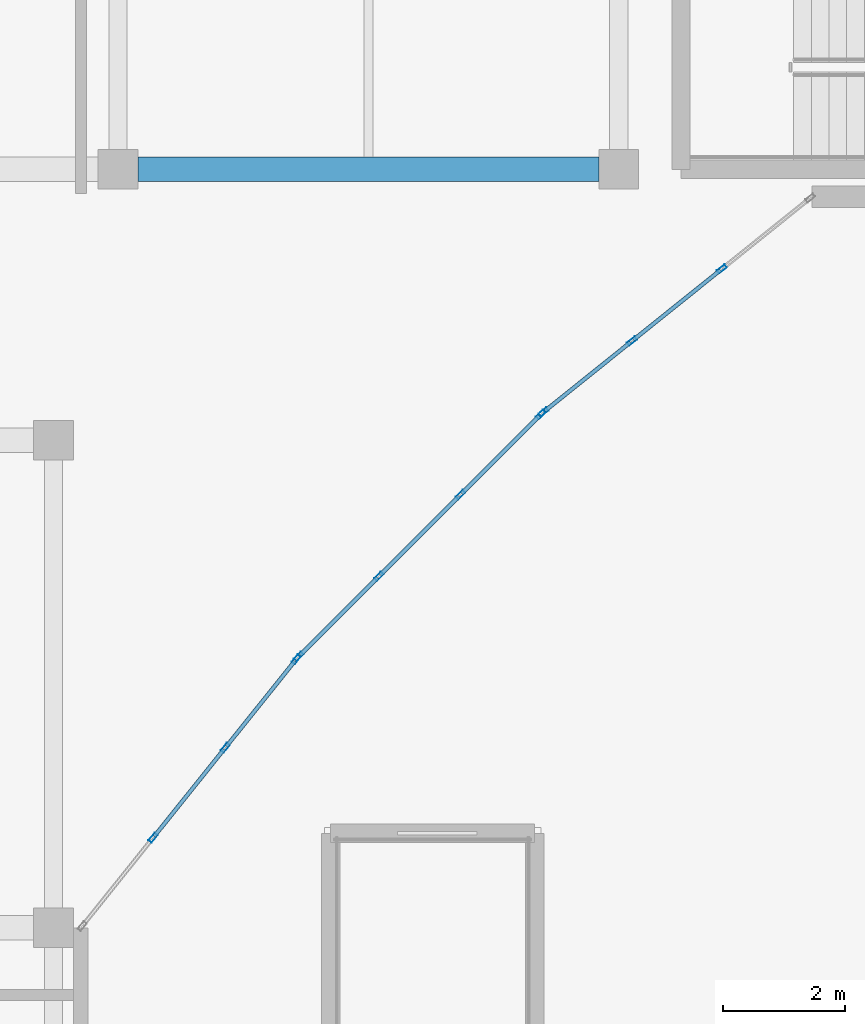
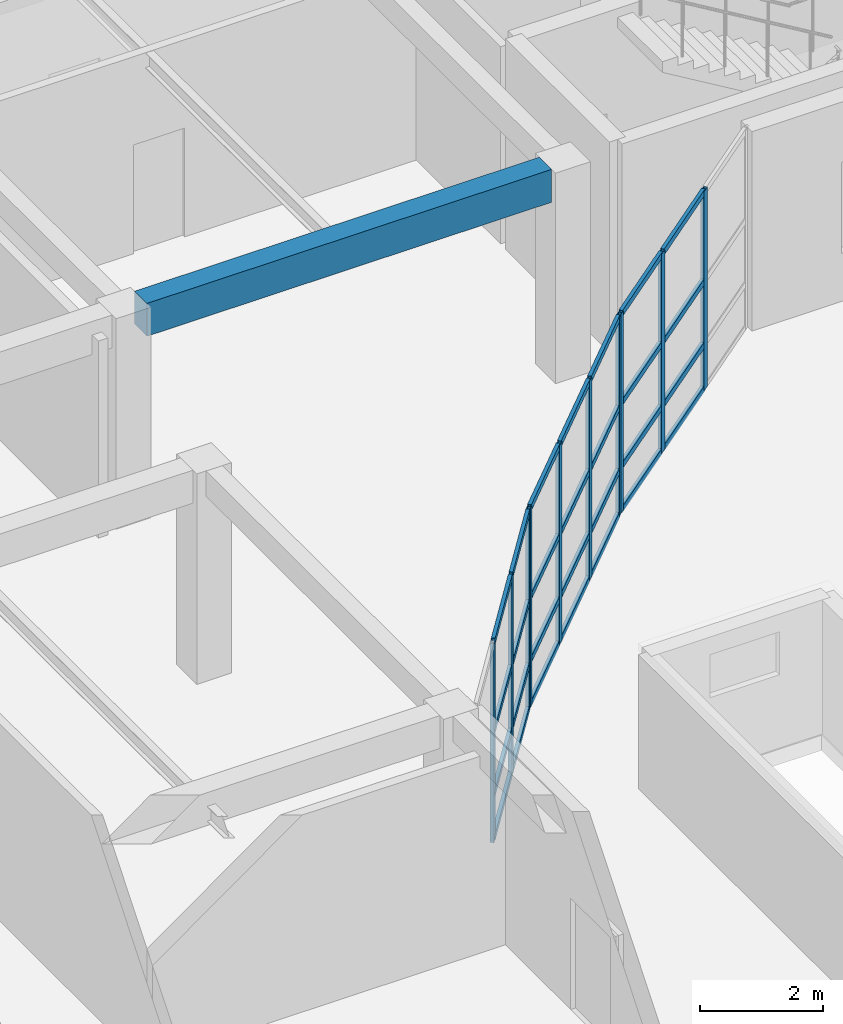
# One storey, part 32 of 114: 38 members, 1 beam, 3 elements without a shape of their own.
"""IFC4 building model written with IfcOpenShell, lengths in metres."""

from ifc_helpers import new_model, si_unit, direction, frame, origin, origin_2d, place, context, subcontext, project, spatial, rectangle, hollow_rectangle, extrude, material, layer, layer_set, material_profile, profile_set, type_object, element, aggregate, save


model = new_model("IFC4")

# Units and contexts
model_context = context("Model", 3, precision=1e-05, world=origin(), true_north=direction((0.0, 1.0)))
body_context = subcontext(model_context, "Body", "Model", "MODEL_VIEW")
ifc_project = project(units=[si_unit("LENGTHUNIT", "METRE"), si_unit("AREAUNIT", "SQUARE_METRE"), si_unit("VOLUMEUNIT", "CUBIC_METRE"), si_unit("PLANEANGLEUNIT", "RADIAN"), si_unit("MASSUNIT", "GRAM", prefix="KILO")], contexts=[model_context])

# Site, building, storey
site_placement = place(None, origin())
site = spatial("IfcSite", under=ifc_project, at=site_placement, CompositionType="ELEMENT")
building_placement = place(site_placement, origin())
building = spatial("IfcBuilding", under=site, at=building_placement, Name="Keldmere Railside Commons", CompositionType="ELEMENT")
storey_placement = place(building_placement, origin())
storey = spatial("IfcBuildingStorey", under=building, at=storey_placement, Name="L00", CompositionType="ELEMENT", Elevation=0.0)

# Beam
ifc_material_1 = material(Name="Concrete H-30 (C30/37)", Category="concrete")
ifc_material_profile_1 = material_profile(ifc_material_1, rectangle(XDim=0.39990234375, YDim=0.64990234375, at=origin_2d()), Name="RC-400x650")
ifc_profile_set_1 = profile_set([ifc_material_profile_1], Name="Concrete H-30 (C30/37)")
beam_type = type_object("IfcBeamType", Name="Residential Spine RC Girder 400x650", PredefinedType="BEAM", material=ifc_profile_set_1)
beam_placement = place(storey_placement, frame((64.93505859375, 100.449951171875, 3.8349609375), z_axis=(1.0, 0.0, 0.0), x_axis=(0.0, 1.0, 0.0)))
element("IfcBeam", 1, at=beam_placement, inside=storey, type_object=beam_type, Name="BG-3 BM-L00-0502", PredefinedType="BEAM", context=body_context, shape_type="SweptSolid", body=[
    extrude(rectangle(XDim=0.39990234375, YDim=0.64990234375, at=origin_2d()), origin(), (0.0, 0.0, 1.0), 7.56982421875),
])

# Curtain wall, members
ifc_material_2 = material(Name="Thermally Broken Aluminium", Category="aluminium")
ifc_layer_1 = layer(ifc_material_2, 0.159912109375, Name="Residential Ground Entrance Lobby CW 4000x3600")
ifc_layer_set_1 = layer_set([ifc_layer_1], Name="Thermally Broken Aluminium")
curtain_wall_type_1 = type_object("IfcCurtainWallType", Name="Residential Ground Entrance Lobby CW 4000x3600", PredefinedType="NOTDEFINED", material=ifc_layer_set_1)
curtain_wall_1_placement = place(storey_placement, origin())
curtain_wall_1 = element("IfcCurtainWall", 2, at=curtain_wall_1_placement, inside=storey, type_object=curtain_wall_type_1, Name="CW-10 CW-L00-025", PredefinedType="NOTDEFINED")
ifc_material_profile_2 = material_profile(ifc_material_2, hollow_rectangle(XDim=0.06494140625, YDim=0.159912109375, WallThickness=0.00390625, at=origin_2d()), Name="ALU-MULL-65x160")
ifc_profile_set_2 = profile_set([ifc_material_profile_2], Name="Thermally Broken Aluminium")
member_type_1 = type_object("IfcMemberType", Name="Unitised Curtain Wall Mullion 65x160", PredefinedType="MULLION", material=ifc_profile_set_2)
member_1_placement = place(storey_placement, frame((67.53369140625, 92.404541015625, 0.0), z_axis=(0.0, 0.0, 1.0), x_axis=(0.780009172323, -0.625768080915, 0.0)))
member_1 = element("IfcMember", 3, at=member_1_placement, type_object=member_type_1, Name="CW-10 mullion 1", PredefinedType="MULLION", context=body_context, shape_type="SweptSolid", body=[
    extrude(hollow_rectangle(XDim=0.06494140625, YDim=0.159912109375, WallThickness=0.00390625, at=origin_2d()), origin(), (0.0, 0.0, 1.0), 3.93994140625),
])
member_2_placement = place(storey_placement, frame((66.369384765625, 90.953369140625, 0.0), z_axis=(0.0, 0.0, 1.0), x_axis=(0.780009172323, -0.625768080915, 0.0)))
member_2 = element("IfcMember", 4, at=member_2_placement, type_object=member_type_1, Name="CW-10 mullion 2", PredefinedType="MULLION", context=body_context, shape_type="SweptSolid", body=[
    extrude(hollow_rectangle(XDim=0.06494140625, YDim=0.159912109375, WallThickness=0.00390625, at=origin_2d()), origin(), (0.0, 0.0, 1.0), 3.93994140625),
])
member_3_placement = place(storey_placement, frame((65.1845703125, 89.4765625, 0.0), z_axis=(0.0, 0.0, 1.0), x_axis=(0.780009172323, -0.625768080915, 0.0)))
member_3 = element("IfcMember", 5, at=member_3_placement, type_object=member_type_1, Name="CW-10 mullion 3", PredefinedType="MULLION", context=body_context, shape_type="SweptSolid", body=[
    extrude(hollow_rectangle(XDim=0.06494140625, YDim=0.159912109375, WallThickness=0.00390625, at=origin_2d()), origin(), (0.0, 0.0, 1.0), 3.93994140625),
])

ifc_layer_2 = layer(ifc_material_2, 0.159912109375, Name="Residential Lounge Frontage CW 4600x3600")
ifc_layer_set_2 = layer_set([ifc_layer_2], Name="Thermally Broken Aluminium")
curtain_wall_type_2 = type_object("IfcCurtainWallType", Name="Residential Lounge Frontage CW 4600x3600", PredefinedType="NOTDEFINED", material=ifc_layer_set_2)
curtain_wall_2_placement = place(storey_placement, origin())
curtain_wall_2 = element("IfcCurtainWall", 6, at=curtain_wall_2_placement, inside=storey, type_object=curtain_wall_type_2, Name="CW-11 CW-L00-026", PredefinedType="NOTDEFINED")
member_4_placement = place(storey_placement, frame((71.547119140625, 96.423095703125, 0.0), z_axis=(0.0, 0.0, 1.0), x_axis=(0.707106781187, -0.707106781187, 0.0)))
member_4 = element("IfcMember", 7, at=member_4_placement, type_object=member_type_1, Name="CW-11 mullion 1", PredefinedType="MULLION", context=body_context, shape_type="SweptSolid", body=[
    extrude(hollow_rectangle(XDim=0.06494140625, YDim=0.159912109375, WallThickness=0.00390625, at=origin_2d()), origin(), (0.0, 0.0, 1.0), 3.93994140625),
])
member_5_placement = place(storey_placement, frame((70.2314453125, 95.107421875, 0.0), z_axis=(0.0, 0.0, 1.0), x_axis=(0.707106781187, -0.707106781187, 0.0)))
member_5 = element("IfcMember", 8, at=member_5_placement, type_object=member_type_1, Name="CW-11 mullion 2", PredefinedType="MULLION", context=body_context, shape_type="SweptSolid", body=[
    extrude(hollow_rectangle(XDim=0.06494140625, YDim=0.159912109375, WallThickness=0.00390625, at=origin_2d()), origin(), (0.0, 0.0, 1.0), 3.93994140625),
])
member_6_placement = place(storey_placement, frame((68.892578125, 93.7685546875, 0.0), z_axis=(0.0, 0.0, 1.0), x_axis=(0.707106781187, -0.707106781187, 0.0)))
member_6 = element("IfcMember", 9, at=member_6_placement, type_object=member_type_1, Name="CW-11 mullion 3", PredefinedType="MULLION", context=body_context, shape_type="SweptSolid", body=[
    extrude(hollow_rectangle(XDim=0.06494140625, YDim=0.159912109375, WallThickness=0.00390625, at=origin_2d()), origin(), (0.0, 0.0, 1.0), 3.93994140625),
])
member_7_placement = place(storey_placement, frame((67.576904296875, 92.452880859375, 0.0), z_axis=(0.0, 0.0, 1.0), x_axis=(0.707106781187, -0.707106781187, 0.0)))
member_7 = element("IfcMember", 10, at=member_7_placement, type_object=member_type_1, Name="CW-11 mullion 4", PredefinedType="MULLION", context=body_context, shape_type="SweptSolid", body=[
    extrude(hollow_rectangle(XDim=0.06494140625, YDim=0.159912109375, WallThickness=0.00390625, at=origin_2d()), origin(), (0.0, 0.0, 1.0), 3.93994140625),
])

curtain_wall_3_placement = place(storey_placement, origin())
curtain_wall_3 = element("IfcCurtainWall", 11, at=curtain_wall_3_placement, inside=storey, type_object=curtain_wall_type_1, Name="CW-10 CW-L00-027", PredefinedType="NOTDEFINED")
member_8_placement = place(storey_placement, frame((74.5234375, 98.8154296875, 0.0), z_axis=(0.0, 0.0, 1.0), x_axis=(0.625768080915, -0.780009172323, 0.0)))
member_8 = element("IfcMember", 12, at=member_8_placement, type_object=member_type_1, Name="CW-10 mullion 2", PredefinedType="MULLION", context=body_context, shape_type="SweptSolid", body=[
    extrude(hollow_rectangle(XDim=0.06494140625, YDim=0.159912109375, WallThickness=0.00390625, at=origin_2d()), origin(), (0.0, 0.0, 1.0), 3.93994140625),
])
member_9_placement = place(storey_placement, frame((73.046630859375, 97.630615234375, 0.0), z_axis=(0.0, 0.0, 1.0), x_axis=(0.625768080915, -0.780009172323, 0.0)))
member_9 = element("IfcMember", 13, at=member_9_placement, type_object=member_type_1, Name="CW-10 mullion 3", PredefinedType="MULLION", context=body_context, shape_type="SweptSolid", body=[
    extrude(hollow_rectangle(XDim=0.06494140625, YDim=0.159912109375, WallThickness=0.00390625, at=origin_2d()), origin(), (0.0, 0.0, 1.0), 3.93994140625),
])
member_10_placement = place(storey_placement, frame((71.595458984375, 96.46630859375, 0.0), z_axis=(0.0, 0.0, 1.0), x_axis=(0.625768080915, -0.780009172323, 0.0)))
member_10 = element("IfcMember", 14, at=member_10_placement, type_object=member_type_1, Name="CW-10 mullion 4", PredefinedType="MULLION", context=body_context, shape_type="SweptSolid", body=[
    extrude(hollow_rectangle(XDim=0.06494140625, YDim=0.159912109375, WallThickness=0.00390625, at=origin_2d()), origin(), (0.0, 0.0, 1.0), 3.93994140625),
])

# Member
ifc_material_profile_3 = material_profile(ifc_material_2, hollow_rectangle(XDim=0.06494140625, YDim=0.1201171875, WallThickness=0.00390625, at=origin_2d()), Name="ALU-TRAN-65x120")
ifc_profile_set_3 = profile_set([ifc_material_profile_3], Name="Thermally Broken Aluminium")
member_type_2 = type_object("IfcMemberType", Name="Unitised Curtain Wall Transom 65x120", PredefinedType="USERDEFINED", material=ifc_profile_set_3)
member_11_placement = place(storey_placement, frame((67.513427734375, 92.37939453125, 0.032470703125), z_axis=(-0.625805275091, -0.779979331565, 0.0), x_axis=(0.779979331565, -0.625805275091, 0.0)))
member_11 = element("IfcMember", 15, at=member_11_placement, type_object=member_type_2, Name="CW-10 transom 1.1", ObjectType="TRANSOM", PredefinedType="USERDEFINED", context=body_context, shape_type="SweptSolid", body=[
    extrude(hollow_rectangle(XDim=0.06494140625, YDim=0.1201171875, WallThickness=0.00390625, at=origin_2d()), origin(), (0.0, 0.0, 1.0), 1.795654296875),
])

member_12_placement = place(storey_placement, frame((67.513427734375, 92.37939453125, 0.89990234375), z_axis=(-0.625805275091, -0.779979331565, 0.0), x_axis=(0.779979331565, -0.625805275091, 0.0)))
member_12 = element("IfcMember", 16, at=member_12_placement, type_object=member_type_2, Name="CW-10 transom 1.2", ObjectType="TRANSOM", PredefinedType="USERDEFINED", context=body_context, shape_type="SweptSolid", body=[
    extrude(hollow_rectangle(XDim=0.06494140625, YDim=0.1201171875, WallThickness=0.00390625, at=origin_2d()), origin(), (0.0, 0.0, 1.0), 1.795654296875),
])

member_13_placement = place(storey_placement, frame((67.513427734375, 92.37939453125, 2.14990234375), z_axis=(-0.625805275091, -0.779979331565, 0.0), x_axis=(0.779979331565, -0.625805275091, 0.0)))
member_13 = element("IfcMember", 17, at=member_13_placement, type_object=member_type_2, Name="CW-10 transom 1.3", ObjectType="TRANSOM", PredefinedType="USERDEFINED", context=body_context, shape_type="SweptSolid", body=[
    extrude(hollow_rectangle(XDim=0.06494140625, YDim=0.1201171875, WallThickness=0.00390625, at=origin_2d()), origin(), (0.0, 0.0, 1.0), 1.795654296875),
])

member_14_placement = place(storey_placement, frame((67.513427734375, 92.37939453125, 3.907470703125), z_axis=(-0.625805275091, -0.779979331565, 0.0), x_axis=(0.779979331565, -0.625805275091, 0.0)))
member_14 = element("IfcMember", 18, at=member_14_placement, type_object=member_type_2, Name="CW-10 transom 1.4", ObjectType="TRANSOM", PredefinedType="USERDEFINED", context=body_context, shape_type="SweptSolid", body=[
    extrude(hollow_rectangle(XDim=0.06494140625, YDim=0.1201171875, WallThickness=0.00390625, at=origin_2d()), origin(), (0.0, 0.0, 1.0), 1.795654296875),
])

member_15_placement = place(storey_placement, frame((66.348876953125, 90.927978515625, 0.032470703125), z_axis=(-0.625688033635, -0.78007338409, 0.0), x_axis=(0.78007338409, -0.625688033635, 0.0)))
member_15 = element("IfcMember", 19, at=member_15_placement, type_object=member_type_2, Name="CW-10 transom 2.1", ObjectType="TRANSOM", PredefinedType="USERDEFINED", context=body_context, shape_type="SweptSolid", body=[
    extrude(hollow_rectangle(XDim=0.06494140625, YDim=0.1201171875, WallThickness=0.00390625, at=origin_2d()), origin(), (0.0, 0.0, 1.0), 1.828125),
])

member_16_placement = place(storey_placement, frame((66.348876953125, 90.927978515625, 0.89990234375), z_axis=(-0.625688033635, -0.78007338409, 0.0), x_axis=(0.78007338409, -0.625688033635, 0.0)))
member_16 = element("IfcMember", 20, at=member_16_placement, type_object=member_type_2, Name="CW-10 transom 2.2", ObjectType="TRANSOM", PredefinedType="USERDEFINED", context=body_context, shape_type="SweptSolid", body=[
    extrude(hollow_rectangle(XDim=0.06494140625, YDim=0.1201171875, WallThickness=0.00390625, at=origin_2d()), origin(), (0.0, 0.0, 1.0), 1.828125),
])

member_17_placement = place(storey_placement, frame((66.348876953125, 90.927978515625, 2.14990234375), z_axis=(-0.625688033635, -0.78007338409, 0.0), x_axis=(0.78007338409, -0.625688033635, 0.0)))
member_17 = element("IfcMember", 21, at=member_17_placement, type_object=member_type_2, Name="CW-10 transom 2.3", ObjectType="TRANSOM", PredefinedType="USERDEFINED", context=body_context, shape_type="SweptSolid", body=[
    extrude(hollow_rectangle(XDim=0.06494140625, YDim=0.1201171875, WallThickness=0.00390625, at=origin_2d()), origin(), (0.0, 0.0, 1.0), 1.828125),
])

member_18_placement = place(storey_placement, frame((66.348876953125, 90.927978515625, 3.907470703125), z_axis=(-0.625688033635, -0.78007338409, 0.0), x_axis=(0.78007338409, -0.625688033635, 0.0)))
member_18 = element("IfcMember", 22, at=member_18_placement, type_object=member_type_2, Name="CW-10 transom 2.4", ObjectType="TRANSOM", PredefinedType="USERDEFINED", context=body_context, shape_type="SweptSolid", body=[
    extrude(hollow_rectangle(XDim=0.06494140625, YDim=0.1201171875, WallThickness=0.00390625, at=origin_2d()), origin(), (0.0, 0.0, 1.0), 1.828125),
])

aggregate(curtain_wall_1, [member_1, member_2, member_3, member_11, member_12, member_13, member_14, member_15, member_16, member_17, member_18])

member_19_placement = place(storey_placement, frame((71.52392578125, 96.400146484375, 0.032470703125), z_axis=(-0.707038793419, -0.707174762418, 0.0), x_axis=(0.707174762418, -0.707038793419, 0.0)))
member_19 = element("IfcMember", 23, at=member_19_placement, type_object=member_type_2, Name="CW-11 transom 1.1", ObjectType="TRANSOM", PredefinedType="USERDEFINED", context=body_context, shape_type="SweptSolid", body=[
    extrude(hollow_rectangle(XDim=0.06494140625, YDim=0.1201171875, WallThickness=0.00390625, at=origin_2d()), origin(), (0.0, 0.0, 1.0), 1.795654296875),
])

member_20_placement = place(storey_placement, frame((71.52392578125, 96.400146484375, 0.89990234375), z_axis=(-0.707038793419, -0.707174762418, 0.0), x_axis=(0.707174762418, -0.707038793419, 0.0)))
member_20 = element("IfcMember", 24, at=member_20_placement, type_object=member_type_2, Name="CW-11 transom 1.2", ObjectType="TRANSOM", PredefinedType="USERDEFINED", context=body_context, shape_type="SweptSolid", body=[
    extrude(hollow_rectangle(XDim=0.06494140625, YDim=0.1201171875, WallThickness=0.00390625, at=origin_2d()), origin(), (0.0, 0.0, 1.0), 1.795654296875),
])

member_21_placement = place(storey_placement, frame((71.52392578125, 96.400146484375, 2.14990234375), z_axis=(-0.707038793419, -0.707174762418, 0.0), x_axis=(0.707174762418, -0.707038793419, 0.0)))
member_21 = element("IfcMember", 25, at=member_21_placement, type_object=member_type_2, Name="CW-11 transom 1.3", ObjectType="TRANSOM", PredefinedType="USERDEFINED", context=body_context, shape_type="SweptSolid", body=[
    extrude(hollow_rectangle(XDim=0.06494140625, YDim=0.1201171875, WallThickness=0.00390625, at=origin_2d()), origin(), (0.0, 0.0, 1.0), 1.795654296875),
])

member_22_placement = place(storey_placement, frame((71.52392578125, 96.400146484375, 3.907470703125), z_axis=(-0.707038793419, -0.707174762418, 0.0), x_axis=(0.707174762418, -0.707038793419, 0.0)))
member_22 = element("IfcMember", 26, at=member_22_placement, type_object=member_type_2, Name="CW-11 transom 1.4", ObjectType="TRANSOM", PredefinedType="USERDEFINED", context=body_context, shape_type="SweptSolid", body=[
    extrude(hollow_rectangle(XDim=0.06494140625, YDim=0.1201171875, WallThickness=0.00390625, at=origin_2d()), origin(), (0.0, 0.0, 1.0), 1.795654296875),
])

member_23_placement = place(storey_placement, frame((70.208251953125, 95.08447265625, 0.032470703125), z_axis=(-0.707106781187, -0.707106781187, 0.0), x_axis=(0.707106781187, -0.707106781187, 0.0)))
member_23 = element("IfcMember", 27, at=member_23_placement, type_object=member_type_2, Name="CW-11 transom 2.1", ObjectType="TRANSOM", PredefinedType="USERDEFINED", context=body_context, shape_type="SweptSolid", body=[
    extrude(hollow_rectangle(XDim=0.06494140625, YDim=0.1201171875, WallThickness=0.00390625, at=origin_2d()), origin(), (0.0, 0.0, 1.0), 1.828125),
])

member_24_placement = place(storey_placement, frame((70.208251953125, 95.08447265625, 0.89990234375), z_axis=(-0.707106781187, -0.707106781187, 0.0), x_axis=(0.707106781187, -0.707106781187, 0.0)))
member_24 = element("IfcMember", 28, at=member_24_placement, type_object=member_type_2, Name="CW-11 transom 2.2", ObjectType="TRANSOM", PredefinedType="USERDEFINED", context=body_context, shape_type="SweptSolid", body=[
    extrude(hollow_rectangle(XDim=0.06494140625, YDim=0.1201171875, WallThickness=0.00390625, at=origin_2d()), origin(), (0.0, 0.0, 1.0), 1.828125),
])

member_25_placement = place(storey_placement, frame((70.208251953125, 95.08447265625, 2.14990234375), z_axis=(-0.707106781187, -0.707106781187, 0.0), x_axis=(0.707106781187, -0.707106781187, 0.0)))
member_25 = element("IfcMember", 29, at=member_25_placement, type_object=member_type_2, Name="CW-11 transom 2.3", ObjectType="TRANSOM", PredefinedType="USERDEFINED", context=body_context, shape_type="SweptSolid", body=[
    extrude(hollow_rectangle(XDim=0.06494140625, YDim=0.1201171875, WallThickness=0.00390625, at=origin_2d()), origin(), (0.0, 0.0, 1.0), 1.828125),
])

member_26_placement = place(storey_placement, frame((70.208251953125, 95.08447265625, 3.907470703125), z_axis=(-0.707106781187, -0.707106781187, 0.0), x_axis=(0.707106781187, -0.707106781187, 0.0)))
member_26 = element("IfcMember", 30, at=member_26_placement, type_object=member_type_2, Name="CW-11 transom 2.4", ObjectType="TRANSOM", PredefinedType="USERDEFINED", context=body_context, shape_type="SweptSolid", body=[
    extrude(hollow_rectangle(XDim=0.06494140625, YDim=0.1201171875, WallThickness=0.00390625, at=origin_2d()), origin(), (0.0, 0.0, 1.0), 1.828125),
])

member_27_placement = place(storey_placement, frame((68.86962890625, 93.74560546875, 0.032470703125), z_axis=(-0.707174762418, -0.707038793419, 0.0), x_axis=(0.707038793419, -0.707174762418, 0.0)))
member_27 = element("IfcMember", 31, at=member_27_placement, type_object=member_type_2, Name="CW-11 transom 3.1", ObjectType="TRANSOM", PredefinedType="USERDEFINED", context=body_context, shape_type="SweptSolid", body=[
    extrude(hollow_rectangle(XDim=0.06494140625, YDim=0.1201171875, WallThickness=0.00390625, at=origin_2d()), origin(), (0.0, 0.0, 1.0), 1.795654296875),
])

member_28_placement = place(storey_placement, frame((68.86962890625, 93.74560546875, 0.89990234375), z_axis=(-0.707174762418, -0.707038793419, 0.0), x_axis=(0.707038793419, -0.707174762418, 0.0)))
member_28 = element("IfcMember", 32, at=member_28_placement, type_object=member_type_2, Name="CW-11 transom 3.2", ObjectType="TRANSOM", PredefinedType="USERDEFINED", context=body_context, shape_type="SweptSolid", body=[
    extrude(hollow_rectangle(XDim=0.06494140625, YDim=0.1201171875, WallThickness=0.00390625, at=origin_2d()), origin(), (0.0, 0.0, 1.0), 1.795654296875),
])

member_29_placement = place(storey_placement, frame((68.86962890625, 93.74560546875, 2.14990234375), z_axis=(-0.707174762418, -0.707038793419, 0.0), x_axis=(0.707038793419, -0.707174762418, 0.0)))
member_29 = element("IfcMember", 33, at=member_29_placement, type_object=member_type_2, Name="CW-11 transom 3.3", ObjectType="TRANSOM", PredefinedType="USERDEFINED", context=body_context, shape_type="SweptSolid", body=[
    extrude(hollow_rectangle(XDim=0.06494140625, YDim=0.1201171875, WallThickness=0.00390625, at=origin_2d()), origin(), (0.0, 0.0, 1.0), 1.795654296875),
])

member_30_placement = place(storey_placement, frame((68.86962890625, 93.74560546875, 3.907470703125), z_axis=(-0.707174762418, -0.707038793419, 0.0), x_axis=(0.707038793419, -0.707174762418, 0.0)))
member_30 = element("IfcMember", 34, at=member_30_placement, type_object=member_type_2, Name="CW-11 transom 3.4", ObjectType="TRANSOM", PredefinedType="USERDEFINED", context=body_context, shape_type="SweptSolid", body=[
    extrude(hollow_rectangle(XDim=0.06494140625, YDim=0.1201171875, WallThickness=0.00390625, at=origin_2d()), origin(), (0.0, 0.0, 1.0), 1.795654296875),
])

aggregate(curtain_wall_2, [member_4, member_5, member_6, member_7, member_19, member_20, member_21, member_22, member_23, member_24, member_25, member_26, member_27, member_28, member_29, member_30])

member_31_placement = place(storey_placement, frame((74.498046875, 98.794921875, 0.032470703125), z_axis=(-0.78007338409, -0.625688033635, 0.0), x_axis=(0.625688033635, -0.78007338409, 0.0)))
member_31 = element("IfcMember", 35, at=member_31_placement, type_object=member_type_2, Name="CW-10 transom 2.1", ObjectType="TRANSOM", PredefinedType="USERDEFINED", context=body_context, shape_type="SweptSolid", body=[
    extrude(hollow_rectangle(XDim=0.06494140625, YDim=0.1201171875, WallThickness=0.00390625, at=origin_2d()), origin(), (0.0, 0.0, 1.0), 1.828125),
])

member_32_placement = place(storey_placement, frame((74.498046875, 98.794921875, 0.89990234375), z_axis=(-0.78007338409, -0.625688033635, 0.0), x_axis=(0.625688033635, -0.78007338409, 0.0)))
member_32 = element("IfcMember", 36, at=member_32_placement, type_object=member_type_2, Name="CW-10 transom 2.2", ObjectType="TRANSOM", PredefinedType="USERDEFINED", context=body_context, shape_type="SweptSolid", body=[
    extrude(hollow_rectangle(XDim=0.06494140625, YDim=0.1201171875, WallThickness=0.00390625, at=origin_2d()), origin(), (0.0, 0.0, 1.0), 1.828125),
])

member_33_placement = place(storey_placement, frame((74.498046875, 98.794921875, 2.14990234375), z_axis=(-0.78007338409, -0.625688033635, 0.0), x_axis=(0.625688033635, -0.78007338409, 0.0)))
member_33 = element("IfcMember", 37, at=member_33_placement, type_object=member_type_2, Name="CW-10 transom 2.3", ObjectType="TRANSOM", PredefinedType="USERDEFINED", context=body_context, shape_type="SweptSolid", body=[
    extrude(hollow_rectangle(XDim=0.06494140625, YDim=0.1201171875, WallThickness=0.00390625, at=origin_2d()), origin(), (0.0, 0.0, 1.0), 1.828125),
])

member_34_placement = place(storey_placement, frame((74.498046875, 98.794921875, 3.907470703125), z_axis=(-0.78007338409, -0.625688033635, 0.0), x_axis=(0.625688033635, -0.78007338409, 0.0)))
member_34 = element("IfcMember", 38, at=member_34_placement, type_object=member_type_2, Name="CW-10 transom 2.4", ObjectType="TRANSOM", PredefinedType="USERDEFINED", context=body_context, shape_type="SweptSolid", body=[
    extrude(hollow_rectangle(XDim=0.06494140625, YDim=0.1201171875, WallThickness=0.00390625, at=origin_2d()), origin(), (0.0, 0.0, 1.0), 1.828125),
])

member_35_placement = place(storey_placement, frame((73.021240234375, 97.6103515625, 0.032470703125), z_axis=(-0.779979331565, -0.625805275091, 0.0), x_axis=(0.625805275091, -0.779979331565, 0.0)))
member_35 = element("IfcMember", 39, at=member_35_placement, type_object=member_type_2, Name="CW-10 transom 3.1", ObjectType="TRANSOM", PredefinedType="USERDEFINED", context=body_context, shape_type="SweptSolid", body=[
    extrude(hollow_rectangle(XDim=0.06494140625, YDim=0.1201171875, WallThickness=0.00390625, at=origin_2d()), origin(), (0.0, 0.0, 1.0), 1.795654296875),
])

member_36_placement = place(storey_placement, frame((73.021240234375, 97.6103515625, 0.89990234375), z_axis=(-0.779979331565, -0.625805275091, 0.0), x_axis=(0.625805275091, -0.779979331565, 0.0)))
member_36 = element("IfcMember", 40, at=member_36_placement, type_object=member_type_2, Name="CW-10 transom 3.2", ObjectType="TRANSOM", PredefinedType="USERDEFINED", context=body_context, shape_type="SweptSolid", body=[
    extrude(hollow_rectangle(XDim=0.06494140625, YDim=0.1201171875, WallThickness=0.00390625, at=origin_2d()), origin(), (0.0, 0.0, 1.0), 1.795654296875),
])

member_37_placement = place(storey_placement, frame((73.021240234375, 97.6103515625, 2.14990234375), z_axis=(-0.779979331565, -0.625805275091, 0.0), x_axis=(0.625805275091, -0.779979331565, 0.0)))
member_37 = element("IfcMember", 41, at=member_37_placement, type_object=member_type_2, Name="CW-10 transom 3.3", ObjectType="TRANSOM", PredefinedType="USERDEFINED", context=body_context, shape_type="SweptSolid", body=[
    extrude(hollow_rectangle(XDim=0.06494140625, YDim=0.1201171875, WallThickness=0.00390625, at=origin_2d()), origin(), (0.0, 0.0, 1.0), 1.795654296875),
])

member_38_placement = place(storey_placement, frame((73.021240234375, 97.6103515625, 3.907470703125), z_axis=(-0.779979331565, -0.625805275091, 0.0), x_axis=(0.625805275091, -0.779979331565, 0.0)))
member_38 = element("IfcMember", 42, at=member_38_placement, type_object=member_type_2, Name="CW-10 transom 3.4", ObjectType="TRANSOM", PredefinedType="USERDEFINED", context=body_context, shape_type="SweptSolid", body=[
    extrude(hollow_rectangle(XDim=0.06494140625, YDim=0.1201171875, WallThickness=0.00390625, at=origin_2d()), origin(), (0.0, 0.0, 1.0), 1.795654296875),
])

aggregate(curtain_wall_3, [member_8, member_9, member_10, member_31, member_32, member_33, member_34, member_35, member_36, member_37, member_38])

save(model, "model.ifc")
